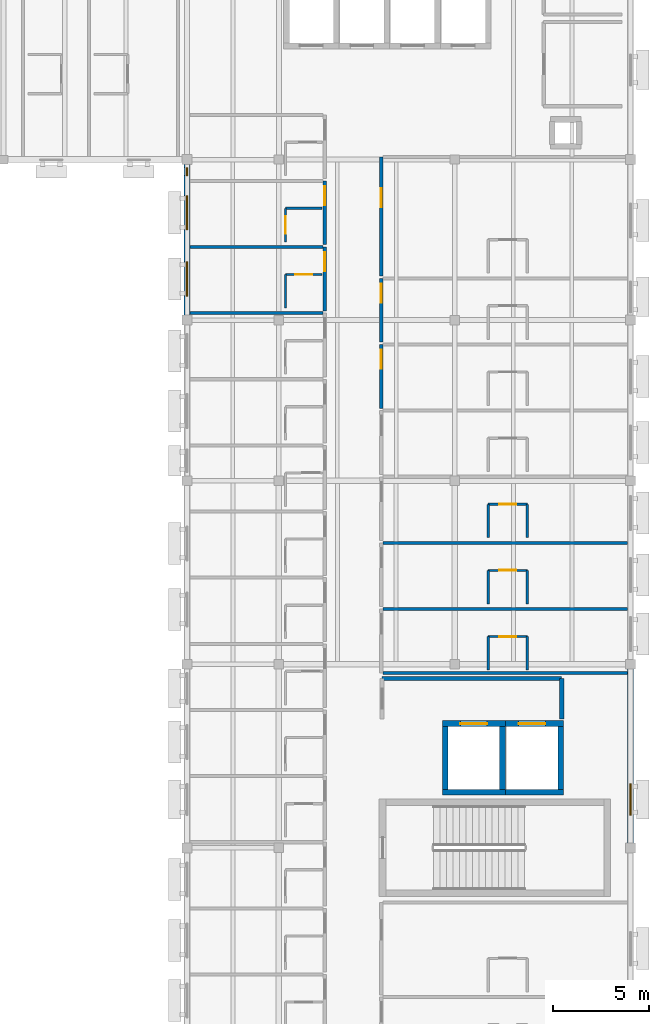
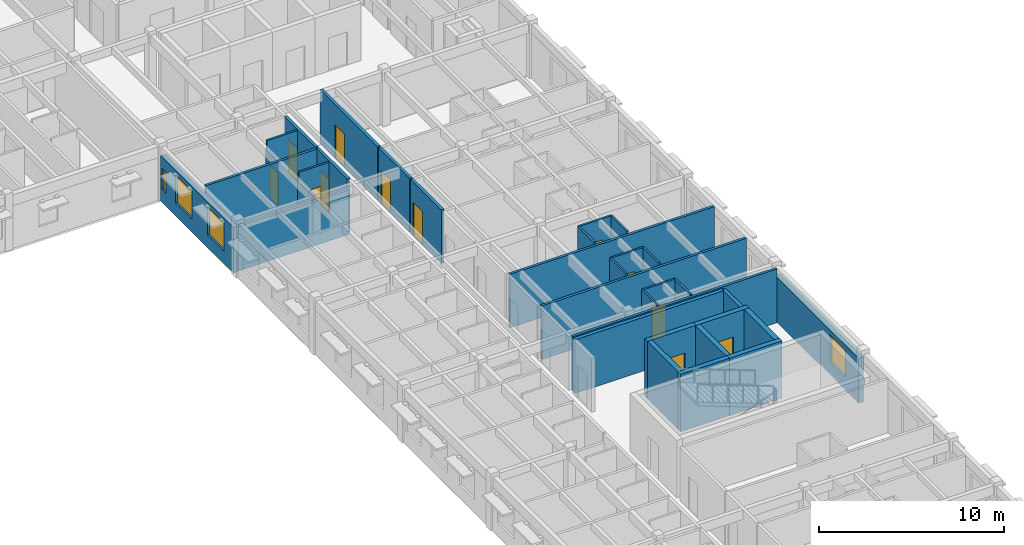
# One storey, part 11 of 20: 34 walls, 12 doors, 4 windows, 16 openings.
"""IFC4 building model written with IfcOpenShell, lengths in metres."""

import ifcopenshell
import ifcopenshell.guid

model = None  # the IFC model being written
_history = None  # IfcOwnerHistory: only IFC2X3 demands one
_inside = {}  # id of a spatial element -> (the spatial element, [elements in it])
_under = {}  # id of a project, library or spatial element -> (it, [spatial elements below it])
_declared = {}  # id of a project -> (the project, [libraries it declares])
_typed = {}  # id of a type object -> (the type object, [elements of that type])
_made_of = {}  # id of a material, layer set ... -> (it, [elements and type objects made of it])


def new_model(schema):
    """Start an empty IFC model of exactly this schema.

    Asked for "IFC4X3", IfcOpenShell would pick the latest addendum, in which some entities
    have other attributes; the version numbers below select the first issue.
    IFC2X3 requires an IfcOwnerHistory on every rooted entity: one is made here for all.
    """
    global model, _history
    if schema == "IFC4X3":
        model = ifcopenshell.file(schema_version=(4, 3, 0, 0))
    else:
        model = ifcopenshell.file(schema=schema)
    _inside.clear()
    _under.clear()
    _declared.clear()
    _typed.clear()
    _made_of.clear()
    _history = None
    if model.schema == "IFC2X3":
        org = make("IfcOrganization", Name="unknown")
        user = make(
            "IfcPersonAndOrganization",
            ThePerson=make("IfcPerson", FamilyName="unknown"),
            TheOrganization=org,
        )
        app = make(
            "IfcApplication",
            ApplicationDeveloper=org,
            Version="unknown",
            ApplicationFullName="unknown",
            ApplicationIdentifier="unknown",
        )
        _history = make(
            "IfcOwnerHistory",
            OwningUser=user,
            OwningApplication=app,
            ChangeAction="ADDED",
            CreationDate=0,
        )
    return model


def make(cls, **values):
    """One entity of the class cls with the attributes given. An attribute that is None is left unset."""
    return model.create_entity(
        cls, **{name: value for name, value in values.items() if value is not None}
    )


def rooted(cls, **values):
    """An entity with a GlobalId (a new one), such as an element, a storey or a relation."""
    return make(cls, GlobalId=ifcopenshell.guid.new(), OwnerHistory=_history, **values)


def si_unit(unit_type, name, prefix=None):
    """IfcSIUnit, for example si_unit("LENGTHUNIT", "METRE", prefix="MILLI")."""
    return make("IfcSIUnit", UnitType=unit_type, Prefix=prefix, Name=name)


def assignment(units):
    """IfcUnitAssignment: the units of a project."""
    return None if units is None else make("IfcUnitAssignment", Units=units)


def point(xyz):
    """IfcCartesianPoint."""
    return None if xyz is None else make("IfcCartesianPoint", Coordinates=xyz)


def direction(xyz):
    """IfcDirection."""
    return None if xyz is None else make("IfcDirection", DirectionRatios=xyz)


def frame(location, z_axis=None, x_axis=None):
    """IfcAxis2Placement3D, a coordinate frame: its origin and axes. An axis left out is left unset."""
    return make(
        "IfcAxis2Placement3D",
        Location=point(location),
        Axis=direction(z_axis),
        RefDirection=direction(x_axis),
    )


def frame_2d(location, x_axis=None):
    """IfcAxis2Placement2D, a coordinate frame in the plane: its origin and x axis."""
    return make(
        "IfcAxis2Placement2D", Location=point(location), RefDirection=direction(x_axis)
    )


def origin():
    """The frame at (0, 0, 0) with its axes left unset."""
    return frame((0.0, 0.0, 0.0))


def place(relative_to, where):
    """IfcLocalPlacement: puts the frame where relative to a parent placement (None: the world)."""
    return make(
        "IfcLocalPlacement", PlacementRelTo=relative_to, RelativePlacement=where
    )


def context(
    kind, dimensions, precision=None, world=None, true_north=None, identifier=None
):
    """IfcGeometricRepresentationContext, for example the 3D "Model" context."""
    return make(
        "IfcGeometricRepresentationContext",
        ContextIdentifier=identifier,
        ContextType=kind,
        CoordinateSpaceDimension=dimensions,
        Precision=precision,
        WorldCoordinateSystem=world,
        TrueNorth=true_north,
    )


def subcontext(parent, identifier, kind, view, scale=None):
    """IfcGeometricRepresentationSubContext, for example "Body" below "Model"."""
    return make(
        "IfcGeometricRepresentationSubContext",
        ContextIdentifier=identifier,
        ContextType=kind,
        ParentContext=parent,
        TargetScale=scale,
        TargetView=view,
    )


def project(units=None, contexts=None):
    """IfcProject with its units and contexts."""
    return rooted(
        "IfcProject",
        Name="project",
        RepresentationContexts=contexts,
        UnitsInContext=assignment(units),
    )


def spatial(cls, under=None, at=None, **own):
    """A site, building, storey or space (cls), placed at a placement, below another one or the project."""
    s = rooted(cls, ObjectPlacement=at, **own)
    if under is not None:
        _under.setdefault(under.id(), (under, []))[1].append(s)
    return s


def profile(cls, at=None, kind="AREA", **sizes):
    """A parametric profile (cls). Its sizes go by their IFC names, for example OverallWidth=200.0."""
    return make(cls, ProfileType=kind, Position=at, **sizes)


def rectangle(**sizes):
    """IfcRectangleProfileDef."""
    return profile("IfcRectangleProfileDef", **sizes)


def extrude(swept, where, along, depth):
    """IfcExtrudedAreaSolid: the profile swept, set in the frame where, extruded along a direction by depth."""
    return make(
        "IfcExtrudedAreaSolid",
        SweptArea=swept,
        Position=where,
        ExtrudedDirection=direction(along),
        Depth=depth,
    )


def shape(context_of_items, identifier, shape_type, items):
    """IfcShapeRepresentation: the items that make up one representation, for example the "Body"."""
    return make(
        "IfcShapeRepresentation",
        ContextOfItems=context_of_items,
        RepresentationIdentifier=identifier,
        RepresentationType=shape_type,
        Items=items,
    )


def material(Name=None, Category=None):
    """IfcMaterial."""
    return make("IfcMaterial", Name=Name, Category=Category)


def layer(
    of_material, thickness, ventilated=None, Name=None, Category=None, Priority=None
):
    """IfcMaterialLayer: one layer of a wall or slab, of a material (None: an air gap)."""
    return make(
        "IfcMaterialLayer",
        Material=of_material,
        LayerThickness=thickness,
        IsVentilated=ventilated,
        Name=Name,
        Category=Category,
        Priority=Priority,
    )


def layer_set(layers, Name=None):
    """IfcMaterialLayerSet."""
    return make("IfcMaterialLayerSet", MaterialLayers=layers, LayerSetName=Name)


def made_of(thing, what):
    """Note that an element or type object is made of a material, layer set ...; save() writes the relation."""
    if what is not None:
        _made_of.setdefault(what.id(), (what, []))[1].append(thing)
    return thing


def type_object(cls, material=None, **own):
    """A type object (cls), such as IfcWallType, which elements share."""
    return made_of(rooted(cls, **own), material)


def element(
    cls,
    number,
    at=None,
    inside=None,
    cuts=None,
    type_object=None,
    material=None,
    context=None,
    identifier="Body",
    shape_type=None,
    held_by="IfcProductDefinitionShape",
    body=None,
    shapes=None,
    **own,
):
    """One element of the class cls, such as IfcWall. Its Tag is "e" and its number.

    at: its placement. inside: the storey or other place that contains it. cuts: it is an
    opening in that element (IfcRelVoidsElement). A single representation is given by context,
    identifier, shape_type and body (its items); several are given by shapes. held_by: the class
    of the entity that holds the representations. save() writes the other relations.
    """
    e = rooted(cls, Tag="e%d" % number, ObjectPlacement=at, **own)
    if body is not None:
        shapes = [shape(context, identifier, shape_type, body)]
    if shapes is not None:
        e.Representation = make(held_by, Representations=shapes)
    if inside is not None:
        _inside.setdefault(inside.id(), (inside, []))[1].append(e)
    if cuts is not None:
        rooted(
            "IfcRelVoidsElement", RelatingBuildingElement=cuts, RelatedOpeningElement=e
        )
    if type_object is not None:
        _typed.setdefault(type_object.id(), (type_object, []))[1].append(e)
    return made_of(e, material)


def fill(opening, filler):
    """IfcRelFillsElement: the door or window that sits in an opening."""
    return rooted(
        "IfcRelFillsElement",
        RelatingOpeningElement=opening,
        RelatedBuildingElement=filler,
    )


def aggregate(whole, parts):
    """IfcRelAggregates: a whole, such as a stair, and the parts it consists of."""
    return rooted("IfcRelAggregates", RelatingObject=whole, RelatedObjects=parts)


def save(model, path):
    """Write the relations noted so far, then the file.

    IfcRelAggregates (storeys below a building ...), IfcRelContainedInSpatialStructure (elements
    in a storey), IfcRelDefinesByType, IfcRelAssociatesMaterial and IfcRelDeclares: one each for
    every whole, place, type object, material and project.
    """
    for whole, parts in _under.values():
        aggregate(whole, parts)
    for where, things in _inside.values():
        rooted(
            "IfcRelContainedInSpatialStructure",
            RelatedElements=things,
            RelatingStructure=where,
        )
    for kind, things in _typed.values():
        rooted("IfcRelDefinesByType", RelatedObjects=things, RelatingType=kind)
    for what, things in _made_of.values():
        rooted("IfcRelAssociatesMaterial", RelatedObjects=things, RelatingMaterial=what)
    for by, libraries in _declared.values():
        rooted("IfcRelDeclares", RelatingContext=by, RelatedDefinitions=libraries)
    model.write(path)


model = new_model("IFC4")

# Units and contexts
model_context = context("Model", 3, precision=1e-05, world=origin(), true_north=direction((0.0, 1.0)))
body_context = subcontext(model_context, "Body", "Model", "MODEL_VIEW")
ifc_project = project(units=[si_unit("LENGTHUNIT", "METRE"), si_unit("AREAUNIT", "SQUARE_METRE"), si_unit("VOLUMEUNIT", "CUBIC_METRE"), si_unit("PLANEANGLEUNIT", "RADIAN"), si_unit("MASSUNIT", "GRAM", prefix="KILO")], contexts=[model_context])

# Site, building, storey
site_placement = place(None, origin())
site = spatial("IfcSite", under=ifc_project, at=site_placement, CompositionType="ELEMENT")
building_placement = place(site_placement, origin())
building = spatial("IfcBuilding", under=site, at=building_placement, Name="Veldera Park Congress Hotel", CompositionType="ELEMENT")
storey_placement = place(building_placement, frame((0.0, 0.0, 27.60009765625)))
storey = spatial("IfcBuildingStorey", under=building, at=storey_placement, Name="L06", CompositionType="ELEMENT", Elevation=27.60009765625)

# Wall, opening, window
ifc_material_1 = material(Name="Cross-laminated timber CLT V2M1.1", Category="wood")
ifc_layer_1 = layer(ifc_material_1, 0.300048828125)
ifc_layer_set_1 = layer_set([ifc_layer_1], Name="Cross-laminated timber CLT V2M1.1")
wall_type_1 = type_object("IfcWallType", Name="EW-CLT300", PredefinedType="STANDARD", material=ifc_layer_set_1)
wall_1_placement = place(storey_placement, frame((84.0, -8.741943359375, 0.0), z_axis=(0.0, 0.0, 1.0), x_axis=(0.0, 1.0, 0.0)))
wall_1 = element("IfcWall", 1, at=wall_1_placement, inside=storey, type_object=wall_type_1, Name="L06 Exterior Wall EW3-L06-0315", PredefinedType="STANDARD", context=body_context, shape_type="SweptSolid", body=[
    extrude(rectangle(XDim=9.083984375, YDim=0.300048828125, at=frame_2d((4.5419921875, 0.0))), origin(), (0.0, 0.0, 1.0), 2.969970703125),
])
opening_1_placement = place(wall_1_placement, frame((1.446044921875, 0.0, 0.85009765625)))
opening_1 = element("IfcOpeningElement", 2, at=opening_1_placement, cuts=wall_1, Name="Opening WIN-1650", PredefinedType="OPENING", context=body_context, shape_type="SweptSolid", body=[
    extrude(rectangle(XDim=1.64990234375, YDim=1.800048828125, at=frame_2d((0.824951171875, 0.89990234375))), frame((0.0, 0.162109375, 0.0), z_axis=(0.0, -1.0, 0.0), x_axis=(1.0, 0.0, 0.0)), (0.0, 0.0, 1.0), 0.323974609375),
])
ifc_material_2 = material(Name="Low-E Triple Insulating Glass Unit (SHGC 0.22)", Category="glass")
window_type_1 = type_object("IfcWindowType", Name="WIN-1650", PartitioningType="SINGLE_PANEL", PredefinedType="WINDOW", material=ifc_material_2)
window_1_placement = place(opening_1_placement, origin())
window_1 = element("IfcWindow", 3, at=window_1_placement, inside=storey, type_object=window_type_1, Name="L06 Window WIN-1650 239", OverallHeight=1.800048828125, OverallWidth=1.64990234375, PartitioningType="SINGLE_PANEL", PredefinedType="WINDOW", context=body_context, shape_type="SweptSolid", body=[
    extrude(rectangle(XDim=1.64990234375, YDim=1.800048828125, at=frame_2d((0.824951171875, 0.89990234375))), frame((0.0, 0.030029296875, 0.0), z_axis=(0.0, -1.0, 0.0), x_axis=(1.0, 0.0, 0.0)), (0.0, 0.0, 1.0), 0.06005859375),
])
fill(opening_1, window_1)

# Wall, openings, windows
wall_2_placement = place(storey_placement, frame((60.800048828125, 26.741943359375, 0.0), z_axis=(0.0, 0.0, 1.0), x_axis=(0.0, -1.0, 0.0)))
wall_2 = element("IfcWall", 4, at=wall_2_placement, inside=storey, type_object=wall_type_1, Name="L06 Exterior Wall EW3-L06-0332", PredefinedType="STANDARD", context=body_context, shape_type="SweptSolid", body=[
    extrude(rectangle(XDim=7.884033203125, YDim=0.300048828125, at=frame_2d((3.94189453125, 0.0))), origin(), (0.0, 0.0, 1.0), 3.010009765625),
])
opening_2_placement = place(wall_2_placement, frame((5.08203125, 0.0, 0.85009765625)))
opening_2 = element("IfcOpeningElement", 5, at=opening_2_placement, cuts=wall_2, Name="Opening WIN-1800", PredefinedType="OPENING", context=body_context, shape_type="SweptSolid", body=[
    extrude(rectangle(XDim=1.800048828125, YDim=1.85009765625, at=frame_2d((0.89990234375, 0.925048828125))), frame((0.0, 0.162109375, 0.0), z_axis=(0.0, -1.0, 0.0), x_axis=(1.0, 0.0, 0.0)), (0.0, 0.0, 1.0), 0.323974609375),
])
opening_3_placement = place(wall_2_placement, frame((1.6220703125, 0.0, 0.85009765625)))
opening_3 = element("IfcOpeningElement", 6, at=opening_3_placement, cuts=wall_2, Name="Opening WIN-1800", PredefinedType="OPENING", context=body_context, shape_type="SweptSolid", body=[
    extrude(rectangle(XDim=1.800048828125, YDim=1.85009765625, at=frame_2d((0.89990234375, 0.925048828125))), frame((0.0, 0.162109375, 0.0), z_axis=(0.0, -1.0, 0.0), x_axis=(1.0, 0.0, 0.0)), (0.0, 0.0, 1.0), 0.323974609375),
])
opening_4_placement = place(wall_2_placement, frame((0.156005859375, 0.0, 0.85009765625)))
opening_4 = element("IfcOpeningElement", 7, at=opening_4_placement, cuts=wall_2, Name="Opening WIN-0420", PredefinedType="OPENING", context=body_context, shape_type="SweptSolid", body=[
    extrude(rectangle(XDim=0.419921875, YDim=1.39990234375, at=frame_2d((0.2099609375, 0.699951171875))), frame((0.0, 0.162109375, 0.0), z_axis=(0.0, -1.0, 0.0), x_axis=(1.0, 0.0, 0.0)), (0.0, 0.0, 1.0), 0.323974609375),
])
window_type_2 = type_object("IfcWindowType", Name="WIN-0420", PartitioningType="SINGLE_PANEL", PredefinedType="WINDOW", material=ifc_material_2)
window_2_placement = place(opening_4_placement, origin())
window_2 = element("IfcWindow", 8, at=window_2_placement, inside=storey, type_object=window_type_2, Name="L06 Window WIN-0420 524", OverallHeight=1.39990234375, OverallWidth=0.419921875, PartitioningType="SINGLE_PANEL", PredefinedType="WINDOW", context=body_context, shape_type="SweptSolid", body=[
    extrude(rectangle(XDim=0.419921875, YDim=1.39990234375, at=frame_2d((0.2099609375, 0.699951171875))), frame((0.0, 0.030029296875, 0.0), z_axis=(0.0, -1.0, 0.0), x_axis=(1.0, 0.0, 0.0)), (0.0, 0.0, 1.0), 0.06005859375),
])
fill(opening_4, window_2)
window_type_3 = type_object("IfcWindowType", Name="WIN-1800", PartitioningType="SINGLE_PANEL", PredefinedType="WINDOW", material=ifc_material_2)
window_3_placement = place(opening_2_placement, origin())
window_3 = element("IfcWindow", 9, at=window_3_placement, inside=storey, type_object=window_type_3, Name="L06 Window WIN-1800 522", OverallHeight=1.85009765625, OverallWidth=1.800048828125, PartitioningType="SINGLE_PANEL", PredefinedType="WINDOW", context=body_context, shape_type="SweptSolid", body=[
    extrude(rectangle(XDim=1.800048828125, YDim=1.85009765625, at=frame_2d((0.89990234375, 0.925048828125))), frame((0.0, 0.030029296875, 0.0), z_axis=(0.0, -1.0, 0.0), x_axis=(1.0, 0.0, 0.0)), (0.0, 0.0, 1.0), 0.06005859375),
])
fill(opening_2, window_3)
window_4_placement = place(opening_3_placement, origin())
window_4 = element("IfcWindow", 10, at=window_4_placement, inside=storey, type_object=window_type_3, Name="L06 Window WIN-1800 523", OverallHeight=1.85009765625, OverallWidth=1.800048828125, PartitioningType="SINGLE_PANEL", PredefinedType="WINDOW", context=body_context, shape_type="SweptSolid", body=[
    extrude(rectangle(XDim=1.800048828125, YDim=1.85009765625, at=frame_2d((0.89990234375, 0.925048828125))), frame((0.0, 0.030029296875, 0.0), z_axis=(0.0, -1.0, 0.0), x_axis=(1.0, 0.0, 0.0)), (0.0, 0.0, 1.0), 0.06005859375),
])
fill(opening_3, window_4)

# Wall
ifc_material_3 = material(Name="Fire-Rated Gypsum Board on Cold-Formed Steel Studs", Category="steel")
ifc_layer_2 = layer(ifc_material_3, 0.1201171875)
ifc_layer_set_2 = layer_set([ifc_layer_2], Name="Fire-Rated Gypsum Board on Cold-Formed Steel Studs")
wall_type_2 = type_object("IfcWallType", Name="IW-BATH120", PredefinedType="PARTITIONING", material=ifc_layer_set_2)
wall_3_placement = place(storey_placement, frame((65.949951171875, 19.239990234375, 0.0), z_axis=(0.0, 0.0, 1.0), x_axis=(0.0, 1.0, 0.0)))
element("IfcWall", 11, at=wall_3_placement, inside=storey, type_object=wall_type_2, Name="L06 Partition Wall IW3-L06-01250", PredefinedType="PARTITIONING", context=body_context, shape_type="SweptSolid", body=[
    extrude(rectangle(XDim=1.75, YDim=0.1201171875, at=frame_2d((0.875, 0.0))), origin(), (0.0, 0.0, 1.0), 3.010009765625),
])

# Wall, opening, door
wall_4_placement = place(storey_placement, frame((65.949951171875, 20.989990234375, 0.0), z_axis=(0.0, 0.0, 1.0), x_axis=(1.0, 0.0, 0.0)))
wall_4 = element("IfcWall", 12, at=wall_4_placement, inside=storey, type_object=wall_type_2, Name="L06 Partition Wall IW3-L06-01251", PredefinedType="PARTITIONING", context=body_context, shape_type="SweptSolid", body=[
    extrude(rectangle(XDim=1.900146484375, YDim=0.1201171875, at=frame_2d((0.9501953125, 0.0))), origin(), (0.0, 0.0, 1.0), 3.554931640625),
])
opening_5_placement = place(wall_4_placement, frame((0.5, 0.0, 0.0)))
opening_5 = element("IfcOpeningElement", 13, at=opening_5_placement, cuts=wall_4, Name="Opening ID-BATH090", PredefinedType="OPENING", context=body_context, shape_type="SweptSolid", body=[
    extrude(rectangle(XDim=0.89990234375, YDim=2.14990234375, at=frame_2d((0.449951171875, 1.074951171875))), frame((0.0, 0.072021484375, 0.0), z_axis=(0.0, -1.0, 0.0), x_axis=(1.0, 0.0, 0.0)), (0.0, 0.0, 1.0), 0.14404296875),
])
ifc_material_4 = material(Name="Solid Core White Oak Architectural Door", Category="wood")
door_type_1 = type_object("IfcDoorType", Name="ID-BATH090", OperationType="NOTDEFINED", PredefinedType="DOOR", material=ifc_material_4)
door_1_placement = place(opening_5_placement, origin())
door_1 = element("IfcDoor", 14, at=door_1_placement, inside=storey, type_object=door_type_1, Name="L06 En-suite 192 Door ID3-L06-0523 (DR3-ID3-L06-0523)", OperationType="SINGLE_SWING_LEFT", OverallHeight=2.14990234375, OverallWidth=0.89990234375, PredefinedType="DOOR", context=body_context, shape_type="SweptSolid", body=[
    extrude(rectangle(XDim=0.89990234375, YDim=2.14990234375, at=frame_2d((0.449951171875, 1.074951171875))), frame((0.0, 0.02490234375, 0.0), z_axis=(0.0, -1.0, 0.0), x_axis=(1.0, 0.0, 0.0)), (0.0, 0.0, 1.0), 0.050048828125),
])
fill(opening_5, door_1)

wall_5_placement = place(storey_placement, frame((65.949951171875, 22.699951171875, 0.0), z_axis=(0.0, 0.0, 1.0), x_axis=(0.0, 1.0, 0.0)))
wall_5 = element("IfcWall", 15, at=wall_5_placement, inside=storey, type_object=wall_type_2, Name="L06 Partition Wall IW3-L06-01254", PredefinedType="PARTITIONING", context=body_context, shape_type="SweptSolid", body=[
    extrude(rectangle(XDim=1.75, YDim=0.1201171875, at=frame_2d((0.875, 0.0))), origin(), (0.0, 0.0, 1.0), 3.010009765625),
])
opening_6_placement = place(wall_5_placement, frame((0.425048828125, 0.0, 0.0)))
opening_6 = element("IfcOpeningElement", 16, at=opening_6_placement, cuts=wall_5, Name="Opening ID-BATH090", PredefinedType="OPENING", context=body_context, shape_type="SweptSolid", body=[
    extrude(rectangle(XDim=0.89990234375, YDim=2.14990234375, at=frame_2d((0.449951171875, 1.074951171875))), frame((0.0, 0.072021484375, 0.0), z_axis=(0.0, -1.0, 0.0), x_axis=(1.0, 0.0, 0.0)), (0.0, 0.0, 1.0), 0.14404296875),
])
door_2_placement = place(opening_6_placement, origin())
door_2 = element("IfcDoor", 17, at=door_2_placement, inside=storey, type_object=door_type_1, Name="L06 En-suite 193 Door ID3-L06-0525 (DR3-ID3-L06-0525)", OperationType="SINGLE_SWING_LEFT", OverallHeight=2.14990234375, OverallWidth=0.89990234375, PredefinedType="DOOR", context=body_context, shape_type="SweptSolid", body=[
    extrude(rectangle(XDim=0.89990234375, YDim=2.14990234375, at=frame_2d((0.449951171875, 1.074951171875))), frame((0.0, 0.02490234375, 0.0), z_axis=(0.0, -1.0, 0.0), x_axis=(1.0, 0.0, 0.0)), (0.0, 0.0, 1.0), 0.050048828125),
])
fill(opening_6, door_2)

# Walls
wall_6_placement = place(storey_placement, frame((65.949951171875, 24.449951171875, 0.0), z_axis=(0.0, 0.0, 1.0), x_axis=(1.0, 0.0, 0.0)))
element("IfcWall", 18, at=wall_6_placement, inside=storey, type_object=wall_type_2, Name="L06 Partition Wall IW3-L06-01255", PredefinedType="PARTITIONING", context=body_context, shape_type="SweptSolid", body=[
    extrude(rectangle(XDim=1.900146484375, YDim=0.1201171875, at=frame_2d((0.9501953125, 0.0))), origin(), (0.0, 0.0, 1.0), 3.554931640625),
])
for number, where, z_axis, x_axis, name in (
    (19, (76.550048828125, 0.300048828125, 0.0), (0.0, 0.0, 1.0), (0.0, 1.0, 0.0), "L06 Partition Wall IW3-L06-01299"),
    (20, (78.60009765625, 0.300048828125, 0.0), (0.0, 0.0, 1.0), (0.0, 1.0, 0.0), "L06 Partition Wall IW3-L06-01300"),
):
    element("IfcWall", number, at=place(storey_placement, frame(where, z_axis=z_axis, x_axis=x_axis)), inside=storey, type_object=wall_type_2, Name=name, PredefinedType="PARTITIONING", context=body_context, shape_type="SweptSolid", body=[
        extrude(rectangle(XDim=1.75, YDim=0.1201171875, at=frame_2d((0.875, 0.0))), origin(), (0.0, 0.0, 1.0), 3.554931640625),
    ])

# Wall, opening, door
wall_7_placement = place(storey_placement, frame((76.550048828125, 2.050048828125, 0.0), z_axis=(0.0, 0.0, 1.0), x_axis=(1.0, 0.0, 0.0)))
wall_7 = element("IfcWall", 21, at=wall_7_placement, inside=storey, type_object=wall_type_2, Name="L06 Partition Wall IW3-L06-01301", PredefinedType="PARTITIONING", context=body_context, shape_type="SweptSolid", body=[
    extrude(rectangle(XDim=2.050048828125, YDim=0.1201171875, at=frame_2d((1.02490234375, 0.0))), origin(), (0.0, 0.0, 1.0), 3.554931640625),
])
opening_7_placement = place(wall_7_placement, frame((0.574951171875, 0.0, 0.0)))
opening_7 = element("IfcOpeningElement", 22, at=opening_7_placement, cuts=wall_7, Name="Opening ID-BATH090", PredefinedType="OPENING", context=body_context, shape_type="SweptSolid", body=[
    extrude(rectangle(XDim=0.89990234375, YDim=2.14990234375, at=frame_2d((0.449951171875, 1.074951171875))), frame((0.0, 0.072021484375, 0.0), z_axis=(0.0, -1.0, 0.0), x_axis=(1.0, 0.0, 0.0)), (0.0, 0.0, 1.0), 0.14404296875),
])
door_3_placement = place(opening_7_placement, origin())
door_3 = element("IfcDoor", 23, at=door_3_placement, inside=storey, type_object=door_type_1, Name="L06 En-suite 202 Door ID3-L06-0543 (DR3-ID3-L06-0543)", OperationType="SINGLE_SWING_LEFT", OverallHeight=2.14990234375, OverallWidth=0.89990234375, PredefinedType="DOOR", context=body_context, shape_type="SweptSolid", body=[
    extrude(rectangle(XDim=0.89990234375, YDim=2.14990234375, at=frame_2d((0.449951171875, 1.074951171875))), frame((0.0, 0.02490234375, 0.0), z_axis=(0.0, -1.0, 0.0), x_axis=(1.0, 0.0, 0.0)), (0.0, 0.0, 1.0), 0.050048828125),
])
fill(opening_7, door_3)

# Walls
for number, where, z_axis, x_axis, name in (
    (24, (76.550048828125, 3.760009765625, 0.0), (0.0, 0.0, 1.0), (0.0, 1.0, 0.0), "L06 Partition Wall IW3-L06-01304"),
    (25, (78.60009765625, 3.760009765625, 0.0), (0.0, 0.0, 1.0), (0.0, 1.0, 0.0), "L06 Partition Wall IW3-L06-01305"),
):
    element("IfcWall", number, at=place(storey_placement, frame(where, z_axis=z_axis, x_axis=x_axis)), inside=storey, type_object=wall_type_2, Name=name, PredefinedType="PARTITIONING", context=body_context, shape_type="SweptSolid", body=[
        extrude(rectangle(XDim=1.75, YDim=0.1201171875, at=frame_2d((0.875, 0.0))), origin(), (0.0, 0.0, 1.0), 3.554931640625),
    ])

# Wall, opening, door
wall_8_placement = place(storey_placement, frame((76.550048828125, 5.510009765625, 0.0), z_axis=(0.0, 0.0, 1.0), x_axis=(1.0, 0.0, 0.0)))
wall_8 = element("IfcWall", 26, at=wall_8_placement, inside=storey, type_object=wall_type_2, Name="L06 Partition Wall IW3-L06-01306", PredefinedType="PARTITIONING", context=body_context, shape_type="SweptSolid", body=[
    extrude(rectangle(XDim=2.050048828125, YDim=0.1201171875, at=frame_2d((1.02490234375, 0.0))), origin(), (0.0, 0.0, 1.0), 3.554931640625),
])
opening_8_placement = place(wall_8_placement, frame((0.574951171875, 0.0, 0.0)))
opening_8 = element("IfcOpeningElement", 27, at=opening_8_placement, cuts=wall_8, Name="Opening ID-BATH090", PredefinedType="OPENING", context=body_context, shape_type="SweptSolid", body=[
    extrude(rectangle(XDim=0.89990234375, YDim=2.14990234375, at=frame_2d((0.449951171875, 1.074951171875))), frame((0.0, 0.072021484375, 0.0), z_axis=(0.0, -1.0, 0.0), x_axis=(1.0, 0.0, 0.0)), (0.0, 0.0, 1.0), 0.14404296875),
])
door_4_placement = place(opening_8_placement, origin())
door_4 = element("IfcDoor", 28, at=door_4_placement, inside=storey, type_object=door_type_1, Name="L06 En-suite 203 Door ID3-L06-0545 (DR3-ID3-L06-0545)", OperationType="SINGLE_SWING_LEFT", OverallHeight=2.14990234375, OverallWidth=0.89990234375, PredefinedType="DOOR", context=body_context, shape_type="SweptSolid", body=[
    extrude(rectangle(XDim=0.89990234375, YDim=2.14990234375, at=frame_2d((0.449951171875, 1.074951171875))), frame((0.0, 0.02490234375, 0.0), z_axis=(0.0, -1.0, 0.0), x_axis=(1.0, 0.0, 0.0)), (0.0, 0.0, 1.0), 0.050048828125),
])
fill(opening_8, door_4)

# Walls
for number, where, z_axis, x_axis, name in (
    (29, (76.550048828125, 7.219970703125, 0.0), (0.0, 0.0, 1.0), (0.0, 1.0, 0.0), "L06 Partition Wall IW3-L06-01309"),
    (30, (78.60009765625, 7.219970703125, 0.0), (0.0, 0.0, 1.0), (0.0, 1.0, 0.0), "L06 Partition Wall IW3-L06-01310"),
):
    element("IfcWall", number, at=place(storey_placement, frame(where, z_axis=z_axis, x_axis=x_axis)), inside=storey, type_object=wall_type_2, Name=name, PredefinedType="PARTITIONING", context=body_context, shape_type="SweptSolid", body=[
        extrude(rectangle(XDim=1.75, YDim=0.1201171875, at=frame_2d((0.875, 0.0))), origin(), (0.0, 0.0, 1.0), 3.554931640625),
    ])

# Wall, opening, door
wall_9_placement = place(storey_placement, frame((76.550048828125, 8.969970703125, 0.0), z_axis=(0.0, 0.0, 1.0), x_axis=(1.0, 0.0, 0.0)))
wall_9 = element("IfcWall", 31, at=wall_9_placement, inside=storey, type_object=wall_type_2, Name="L06 Partition Wall IW3-L06-01311", PredefinedType="PARTITIONING", context=body_context, shape_type="SweptSolid", body=[
    extrude(rectangle(XDim=2.050048828125, YDim=0.1201171875, at=frame_2d((1.02490234375, 0.0))), origin(), (0.0, 0.0, 1.0), 3.554931640625),
])
opening_9_placement = place(wall_9_placement, frame((0.574951171875, 0.0, 0.0)))
opening_9 = element("IfcOpeningElement", 32, at=opening_9_placement, cuts=wall_9, Name="Opening ID-BATH090", PredefinedType="OPENING", context=body_context, shape_type="SweptSolid", body=[
    extrude(rectangle(XDim=0.89990234375, YDim=2.14990234375, at=frame_2d((0.449951171875, 1.074951171875))), frame((0.0, 0.072021484375, 0.0), z_axis=(0.0, -1.0, 0.0), x_axis=(1.0, 0.0, 0.0)), (0.0, 0.0, 1.0), 0.14404296875),
])
door_5_placement = place(opening_9_placement, origin())
door_5 = element("IfcDoor", 33, at=door_5_placement, inside=storey, type_object=door_type_1, Name="L06 En-suite 204 Door ID3-L06-0547 (DR3-ID3-L06-0547)", OperationType="SINGLE_SWING_LEFT", OverallHeight=2.14990234375, OverallWidth=0.89990234375, PredefinedType="DOOR", context=body_context, shape_type="SweptSolid", body=[
    extrude(rectangle(XDim=0.89990234375, YDim=2.14990234375, at=frame_2d((0.449951171875, 1.074951171875))), frame((0.0, 0.02490234375, 0.0), z_axis=(0.0, -1.0, 0.0), x_axis=(1.0, 0.0, 0.0)), (0.0, 0.0, 1.0), 0.050048828125),
])
fill(opening_9, door_5)

ifc_layer_3 = layer(ifc_material_3, 0.179931640625)
ifc_layer_set_3 = layer_set([ifc_layer_3], Name="Fire-Rated Gypsum Board on Cold-Formed Steel Studs")
wall_type_3 = type_object("IfcWallType", Name="IW-CORR180", PredefinedType="PARTITIONING", material=ifc_layer_set_3)
wall_10_placement = place(storey_placement, frame((68.0, 19.090087890625, 0.0), z_axis=(0.0, 0.0, 1.0), x_axis=(0.0, 1.0, 0.0)))
wall_10 = element("IfcWall", 34, at=wall_10_placement, inside=storey, type_object=wall_type_3, Name="L06 Corridor Wall IW3-L06-01248", PredefinedType="PARTITIONING", context=body_context, shape_type="SweptSolid", body=[
    extrude(rectangle(XDim=3.33984375, YDim=0.179931640625, at=frame_2d((1.669921875, 0.0))), origin(), (0.0, 0.0, 1.0), 3.554931640625),
])
opening_10_placement = place(wall_10_placement, frame((2.06005859375, 0.0, 0.0)))
opening_10 = element("IfcOpeningElement", 35, at=opening_10_placement, cuts=wall_10, Name="Opening ID-UNIT100", PredefinedType="OPENING", context=body_context, shape_type="SweptSolid", body=[
    extrude(rectangle(XDim=1.0, YDim=2.199951171875, at=frame_2d((0.5, 1.10009765625))), frame((0.0, 0.10205078125, 0.0), z_axis=(0.0, -1.0, 0.0), x_axis=(1.0, 0.0, 0.0)), (0.0, 0.0, 1.0), 0.203857421875),
])
door_type_2 = type_object("IfcDoorType", Name="ID-UNIT100", OperationType="NOTDEFINED", PredefinedType="DOOR", material=ifc_material_4)
door_6_placement = place(opening_10_placement, origin())
door_6 = element("IfcDoor", 36, at=door_6_placement, inside=storey, type_object=door_type_2, Name="L06 Guestroom 192 Entry Door (DR3-UD3-L06-192)", OperationType="SINGLE_SWING_RIGHT", OverallHeight=2.199951171875, OverallWidth=1.0, PredefinedType="DOOR", context=body_context, shape_type="SweptSolid", body=[
    extrude(rectangle(XDim=1.0, YDim=2.199951171875, at=frame_2d((0.5, 1.10009765625))), frame((0.0, 0.02490234375, 0.0), z_axis=(0.0, -1.0, 0.0), x_axis=(1.0, 0.0, 0.0)), (0.0, 0.0, 1.0), 0.050048828125),
])
fill(opening_10, door_6)

wall_11_placement = place(storey_placement, frame((68.0, 22.550048828125, 0.0), z_axis=(0.0, 0.0, 1.0), x_axis=(0.0, 1.0, 0.0)))
wall_11 = element("IfcWall", 37, at=wall_11_placement, inside=storey, type_object=wall_type_3, Name="L06 Corridor Wall IW3-L06-01252", PredefinedType="PARTITIONING", context=body_context, shape_type="SweptSolid", body=[
    extrude(rectangle(XDim=3.33984375, YDim=0.179931640625, at=frame_2d((1.669921875, 0.0))), origin(), (0.0, 0.0, 1.0), 3.554931640625),
])
opening_11_placement = place(wall_11_placement, frame((2.06005859375, 0.0, 0.0)))
opening_11 = element("IfcOpeningElement", 38, at=opening_11_placement, cuts=wall_11, Name="Opening ID-UNIT100", PredefinedType="OPENING", context=body_context, shape_type="SweptSolid", body=[
    extrude(rectangle(XDim=1.0, YDim=2.199951171875, at=frame_2d((0.5, 1.10009765625))), frame((0.0, 0.10205078125, 0.0), z_axis=(0.0, -1.0, 0.0), x_axis=(1.0, 0.0, 0.0)), (0.0, 0.0, 1.0), 0.203857421875),
])
door_7_placement = place(opening_11_placement, origin())
door_7 = element("IfcDoor", 39, at=door_7_placement, inside=storey, type_object=door_type_2, Name="L06 Guestroom 193 Entry Door (DR3-UD3-L06-193)", OperationType="SINGLE_SWING_RIGHT", OverallHeight=2.199951171875, OverallWidth=1.0, PredefinedType="DOOR", context=body_context, shape_type="SweptSolid", body=[
    extrude(rectangle(XDim=1.0, YDim=2.199951171875, at=frame_2d((0.5, 1.10009765625))), frame((0.0, 0.02490234375, 0.0), z_axis=(0.0, -1.0, 0.0), x_axis=(1.0, 0.0, 0.0)), (0.0, 0.0, 1.0), 0.050048828125),
])
fill(opening_11, door_7)

wall_12_placement = place(storey_placement, frame((70.949951171875, 17.330078125, 0.0), z_axis=(0.0, 0.0, 1.0), x_axis=(0.0, -1.0, 0.0)))
wall_12 = element("IfcWall", 40, at=wall_12_placement, inside=storey, type_object=wall_type_3, Name="L06 Corridor Wall IW3-L06-01317", PredefinedType="PARTITIONING", context=body_context, shape_type="SweptSolid", body=[
    extrude(rectangle(XDim=3.340087890625, YDim=0.179931640625, at=frame_2d((1.669921875, 0.0))), origin(), (0.0, 0.0, 1.0), 3.554931640625),
])
opening_12_placement = place(wall_12_placement, frame((0.280029296875, 0.0, 0.0)))
opening_12 = element("IfcOpeningElement", 41, at=opening_12_placement, cuts=wall_12, Name="Opening ID-UNIT100", PredefinedType="OPENING", context=body_context, shape_type="SweptSolid", body=[
    extrude(rectangle(XDim=1.0, YDim=2.199951171875, at=frame_2d((0.5, 1.10009765625))), frame((0.0, 0.10205078125, 0.0), z_axis=(0.0, -1.0, 0.0), x_axis=(1.0, 0.0, 0.0)), (0.0, 0.0, 1.0), 0.203857421875),
])
door_8_placement = place(opening_12_placement, origin())
door_8 = element("IfcDoor", 42, at=door_8_placement, inside=storey, type_object=door_type_2, Name="L06 Guestroom 206 Entry Door (DR3-UD3-L06-206)", OperationType="SINGLE_SWING_RIGHT", OverallHeight=2.199951171875, OverallWidth=1.0, PredefinedType="DOOR", context=body_context, shape_type="SweptSolid", body=[
    extrude(rectangle(XDim=1.0, YDim=2.199951171875, at=frame_2d((0.5, 1.10009765625))), frame((0.0, 0.02490234375, 0.0), z_axis=(0.0, -1.0, 0.0), x_axis=(1.0, 0.0, 0.0)), (0.0, 0.0, 1.0), 0.050048828125),
])
fill(opening_12, door_8)

wall_13_placement = place(storey_placement, frame((70.949951171875, 20.7900390625, 0.0), z_axis=(0.0, 0.0, 1.0), x_axis=(0.0, -1.0, 0.0)))
wall_13 = element("IfcWall", 43, at=wall_13_placement, inside=storey, type_object=wall_type_3, Name="L06 Corridor Wall IW3-L06-01322", PredefinedType="PARTITIONING", context=body_context, shape_type="SweptSolid", body=[
    extrude(rectangle(XDim=3.340087890625, YDim=0.179931640625, at=frame_2d((1.669921875, 0.0))), origin(), (0.0, 0.0, 1.0), 3.554931640625),
])
opening_13_placement = place(wall_13_placement, frame((0.280029296875, 0.0, 0.0)))
opening_13 = element("IfcOpeningElement", 44, at=opening_13_placement, cuts=wall_13, Name="Opening ID-UNIT100", PredefinedType="OPENING", context=body_context, shape_type="SweptSolid", body=[
    extrude(rectangle(XDim=1.0, YDim=2.199951171875, at=frame_2d((0.5, 1.10009765625))), frame((0.0, 0.10205078125, 0.0), z_axis=(0.0, -1.0, 0.0), x_axis=(1.0, 0.0, 0.0)), (0.0, 0.0, 1.0), 0.203857421875),
])
door_9_placement = place(opening_13_placement, origin())
door_9 = element("IfcDoor", 45, at=door_9_placement, inside=storey, type_object=door_type_2, Name="L06 Guestroom 207 Entry Door (DR3-UD3-L06-207)", OperationType="SINGLE_SWING_RIGHT", OverallHeight=2.199951171875, OverallWidth=1.0, PredefinedType="DOOR", context=body_context, shape_type="SweptSolid", body=[
    extrude(rectangle(XDim=1.0, YDim=2.199951171875, at=frame_2d((0.5, 1.10009765625))), frame((0.0, 0.02490234375, 0.0), z_axis=(0.0, -1.0, 0.0), x_axis=(1.0, 0.0, 0.0)), (0.0, 0.0, 1.0), 0.050048828125),
])
fill(opening_13, door_9)

wall_14_placement = place(storey_placement, frame((70.949951171875, 27.1298828125, 0.0), z_axis=(0.0, 0.0, 1.0), x_axis=(0.0, -1.0, 0.0)))
wall_14 = element("IfcWall", 46, at=wall_14_placement, inside=storey, type_object=wall_type_3, Name="L06 Corridor Wall IW3-L06-01327", PredefinedType="PARTITIONING", context=body_context, shape_type="SweptSolid", body=[
    extrude(rectangle(XDim=6.219970703125, YDim=0.179931640625, at=frame_2d((3.10986328125, 0.0))), origin(), (0.0, 0.0, 1.0), 3.554931640625),
])
opening_14_placement = place(wall_14_placement, frame((1.6298828125, 0.0, 0.0)))
opening_14 = element("IfcOpeningElement", 47, at=opening_14_placement, cuts=wall_14, Name="Opening ID-UNIT100", PredefinedType="OPENING", context=body_context, shape_type="SweptSolid", body=[
    extrude(rectangle(XDim=1.0, YDim=2.199951171875, at=frame_2d((0.5, 1.10009765625))), frame((0.0, 0.10205078125, 0.0), z_axis=(0.0, -1.0, 0.0), x_axis=(1.0, 0.0, 0.0)), (0.0, 0.0, 1.0), 0.203857421875),
])
door_10_placement = place(opening_14_placement, origin())
door_10 = element("IfcDoor", 48, at=door_10_placement, inside=storey, type_object=door_type_2, Name="L06 Guestroom 208 Entry Door (DR3-UD3-L06-208)", OperationType="SINGLE_SWING_RIGHT", OverallHeight=2.199951171875, OverallWidth=1.0, PredefinedType="DOOR", context=body_context, shape_type="SweptSolid", body=[
    extrude(rectangle(XDim=1.0, YDim=2.199951171875, at=frame_2d((0.5, 1.10009765625))), frame((0.0, 0.02490234375, 0.0), z_axis=(0.0, -1.0, 0.0), x_axis=(1.0, 0.0, 0.0)), (0.0, 0.0, 1.0), 0.050048828125),
])
fill(opening_14, door_10)

# Walls
ifc_material_5 = material(Name="Concrete f'c 40 MPa (5,800 psi)", Category="concrete")
ifc_layer_4 = layer(ifc_material_5, 0.219970703125)
ifc_layer_set_4 = layer_set([ifc_layer_4], Name="Concrete f'c 40 MPa (5,800 psi)")
wall_type_4 = type_object("IfcWallType", Name="IW-FIRE220", PredefinedType="STANDARD", material=ifc_layer_set_4)
wall_15_placement = place(storey_placement, frame((80.39990234375, -2.25, 0.0), z_axis=(0.0, 0.0, 1.0), x_axis=(0.0, 1.0, 0.0)))
element("IfcWall", 49, at=wall_15_placement, inside=storey, type_object=wall_type_4, Name="L06 Partition Wall IW3-L06-00270", PredefinedType="STANDARD", context=body_context, shape_type="SweptSolid", body=[
    extrude(rectangle(XDim=2.10009765625, YDim=0.219970703125, at=frame_2d((1.050048828125, 0.0))), origin(), (0.0, 0.0, 1.0), 3.554931640625),
])
wall_16_placement = place(storey_placement, frame((80.39990234375, -0.14990234375, 0.0), z_axis=(0.0, 0.0, 1.0), x_axis=(-1.0, 0.0, 0.0)))
element("IfcWall", 50, at=wall_16_placement, inside=storey, type_object=wall_type_4, Name="L06 Partition Wall IW3-L06-00271", PredefinedType="STANDARD", context=body_context, shape_type="SweptSolid", body=[
    extrude(rectangle(XDim=9.39990234375, YDim=0.219970703125, at=frame_2d((4.699951171875, 0.0))), origin(), (0.0, 0.0, 1.0), 3.554931640625),
])
ifc_layer_5 = layer(ifc_material_1, 0.159912109375)
ifc_layer_set_5 = layer_set([ifc_layer_5], Name="Cross-laminated timber CLT V2M1.1")
wall_type_5 = type_object("IfcWallType", Name="IW-UNIT160", PredefinedType="PARTITIONING", material=ifc_layer_set_5)
wall_17_placement = place(storey_placement, frame((60.9599609375, 18.969970703125, 0.0), z_axis=(0.0, 0.0, 1.0), x_axis=(1.0, 0.0, 0.0)))
element("IfcWall", 51, at=wall_17_placement, inside=storey, type_object=wall_type_5, Name="L06 Partition Wall IW3-L06-01245", PredefinedType="PARTITIONING", context=body_context, shape_type="SweptSolid", body=[
    extrude(rectangle(XDim=6.93994140625, YDim=0.159912109375, at=frame_2d((3.469970703125, 0.0))), origin(), (0.0, 0.0, 1.0), 2.929931640625),
])
wall_18_placement = place(storey_placement, frame((60.9599609375, 22.429931640625, 0.0), z_axis=(0.0, 0.0, 1.0), x_axis=(1.0, 0.0, 0.0)))
element("IfcWall", 52, at=wall_18_placement, inside=storey, type_object=wall_type_5, Name="L06 Partition Wall IW3-L06-01249", PredefinedType="PARTITIONING", context=body_context, shape_type="SweptSolid", body=[
    extrude(rectangle(XDim=6.93994140625, YDim=0.159912109375, at=frame_2d((3.469970703125, 0.0))), origin(), (0.0, 0.0, 1.0), 3.554931640625),
])
for number, where, z_axis, x_axis, name in (
    (53, (71.050048828125, 0.14990234375, 0.0), (0.0, 0.0, 1.0), (1.0, 0.0, 0.0), "L06 Partition Wall IW3-L06-01297"),
    (54, (71.050048828125, 3.489990234375, 0.0), (0.0, 0.0, 1.0), (1.0, 0.0, 0.0), "L06 Partition Wall IW3-L06-01298"),
    (55, (71.050048828125, 6.949951171875, 0.0), (0.0, 0.0, 1.0), (1.0, 0.0, 0.0), "L06 Partition Wall IW3-L06-01303"),
):
    element("IfcWall", number, at=place(storey_placement, frame(where, z_axis=z_axis, x_axis=x_axis)), inside=storey, type_object=wall_type_5, Name=name, PredefinedType="PARTITIONING", context=body_context, shape_type="SweptSolid", body=[
        extrude(rectangle(XDim=12.7900390625, YDim=0.159912109375, at=frame_2d((6.39501953125, 0.0))), origin(), (0.0, 0.0, 1.0), 3.554931640625),
    ])
ifc_layer_6 = layer(ifc_material_5, 0.300048828125)
ifc_layer_set_6 = layer_set([ifc_layer_6], Name="Concrete f'c 40 MPa (5,800 psi)")
wall_type_6 = type_object("IfcWallType", Name="SW-SHFT300", PredefinedType="SHEAR", material=ifc_layer_set_6)
wall_19_placement = place(storey_placement, frame((74.14990234375, -6.10009765625, 0.0), z_axis=(0.0, 0.0, 1.0), x_axis=(1.0, 0.0, 0.0)))
element("IfcWall", 56, at=wall_19_placement, inside=storey, type_object=wall_type_6, Name="Lift SL-01 Shaft Wall L06-S", PredefinedType="SHEAR", context=body_context, shape_type="SweptSolid", body=[
    extrude(rectangle(XDim=3.300048828125, YDim=0.300048828125, at=frame_2d((1.64990234375, 0.0))), origin(), (0.0, 0.0, 1.0), 3.7998046875),
])

# Wall, opening, door
wall_20_placement = place(storey_placement, frame((77.449951171875, -2.5, 0.0), z_axis=(0.0, 0.0, 1.0), x_axis=(-1.0, 0.0, 0.0)))
wall_20 = element("IfcWall", 57, at=wall_20_placement, inside=storey, type_object=wall_type_6, Name="Lift SL-01 Shaft Wall L06-N", PredefinedType="SHEAR", context=body_context, shape_type="SweptSolid", body=[
    extrude(rectangle(XDim=3.300048828125, YDim=0.300048828125, at=frame_2d((1.64990234375, 0.0))), origin(), (0.0, 0.0, 1.0), 3.7998046875),
])
opening_15_placement = place(wall_20_placement, frame((0.949951171875, 0.0, 0.0)))
opening_15 = element("IfcOpeningElement", 58, at=opening_15_placement, cuts=wall_20, Name="Opening LD-140", PredefinedType="OPENING", context=body_context, shape_type="SweptSolid", body=[
    extrude(rectangle(XDim=1.39990234375, YDim=2.199951171875, at=frame_2d((0.699951171875, 1.10009765625))), frame((0.0, 0.162109375, 0.0), z_axis=(0.0, -1.0, 0.0), x_axis=(1.0, 0.0, 0.0)), (0.0, 0.0, 1.0), 0.323974609375),
])
ifc_material_6 = material(Name="Hollow Metal Fire-Rated Steel Door", Category="steel")
door_type_3 = type_object("IfcDoorType", Name="LD-140", OperationType="DOUBLE_DOOR_SLIDING", PredefinedType="DOOR", material=ifc_material_6)
door_11_placement = place(opening_15_placement, origin())
door_11 = element("IfcDoor", 59, at=door_11_placement, inside=storey, type_object=door_type_3, Name="L06 Lift SL-01 Landing Door (DR3-LD-SL-01-L06)", OperationType="DOUBLE_DOOR_SLIDING", OverallHeight=2.199951171875, OverallWidth=1.39990234375, PredefinedType="DOOR", context=body_context, shape_type="SweptSolid", body=[
    extrude(rectangle(XDim=1.39990234375, YDim=2.199951171875, at=frame_2d((0.699951171875, 1.10009765625))), frame((0.0, 0.02490234375, 0.0), z_axis=(0.0, -1.0, 0.0), x_axis=(1.0, 0.0, 0.0)), (0.0, 0.0, 1.0), 0.050048828125),
])
fill(opening_15, door_11)

# Walls
for number, where, z_axis, x_axis, name in (
    (60, (77.300048828125, -5.949951171875, 0.0), (0.0, 0.0, 1.0), (0.0, 1.0, 0.0), "Lift SL-01 Shaft Wall L06-E"),
    (61, (74.300048828125, -2.64990234375, 0.0), (0.0, 0.0, 1.0), (0.0, -1.0, 0.0), "Lift SL-01 Shaft Wall L06-W"),
    (62, (77.199951171875, -6.10009765625, 0.0), (0.0, 0.0, 1.0), (1.0, 0.0, 0.0), "Lift SL-02 Shaft Wall L06-S"),
):
    element("IfcWall", number, at=place(storey_placement, frame(where, z_axis=z_axis, x_axis=x_axis)), inside=storey, type_object=wall_type_6, Name=name, PredefinedType="SHEAR", context=body_context, shape_type="SweptSolid", body=[
        extrude(rectangle(XDim=3.300048828125, YDim=0.300048828125, at=frame_2d((1.64990234375, 0.0))), origin(), (0.0, 0.0, 1.0), 3.7998046875),
    ])

# Wall, opening, door
wall_21_placement = place(storey_placement, frame((80.5, -2.5, 0.0), z_axis=(0.0, 0.0, 1.0), x_axis=(-1.0, 0.0, 0.0)))
wall_21 = element("IfcWall", 63, at=wall_21_placement, inside=storey, type_object=wall_type_6, Name="Lift SL-02 Shaft Wall L06-N", PredefinedType="SHEAR", context=body_context, shape_type="SweptSolid", body=[
    extrude(rectangle(XDim=3.300048828125, YDim=0.300048828125, at=frame_2d((1.64990234375, 0.0))), origin(), (0.0, 0.0, 1.0), 3.7998046875),
])
opening_16_placement = place(wall_21_placement, frame((0.949951171875, 0.0, 0.0)))
opening_16 = element("IfcOpeningElement", 64, at=opening_16_placement, cuts=wall_21, Name="Opening LD-140", PredefinedType="OPENING", context=body_context, shape_type="SweptSolid", body=[
    extrude(rectangle(XDim=1.39990234375, YDim=2.199951171875, at=frame_2d((0.699951171875, 1.10009765625))), frame((0.0, 0.162109375, 0.0), z_axis=(0.0, -1.0, 0.0), x_axis=(1.0, 0.0, 0.0)), (0.0, 0.0, 1.0), 0.323974609375),
])
door_12_placement = place(opening_16_placement, origin())
door_12 = element("IfcDoor", 65, at=door_12_placement, inside=storey, type_object=door_type_3, Name="L06 Lift SL-02 Landing Door (DR3-LD-SL-02-L06)", OperationType="DOUBLE_DOOR_SLIDING", OverallHeight=2.199951171875, OverallWidth=1.39990234375, PredefinedType="DOOR", context=body_context, shape_type="SweptSolid", body=[
    extrude(rectangle(XDim=1.39990234375, YDim=2.199951171875, at=frame_2d((0.699951171875, 1.10009765625))), frame((0.0, 0.02490234375, 0.0), z_axis=(0.0, -1.0, 0.0), x_axis=(1.0, 0.0, 0.0)), (0.0, 0.0, 1.0), 0.050048828125),
])
fill(opening_16, door_12)

# Wall
wall_22_placement = place(storey_placement, frame((80.35009765625, -5.949951171875, 0.0), z_axis=(0.0, 0.0, 1.0), x_axis=(0.0, 1.0, 0.0)))
element("IfcWall", 66, at=wall_22_placement, inside=storey, type_object=wall_type_6, Name="Lift SL-02 Shaft Wall L06-E", PredefinedType="SHEAR", context=body_context, shape_type="SweptSolid", body=[
    extrude(rectangle(XDim=3.300048828125, YDim=0.300048828125, at=frame_2d((1.64990234375, 0.0))), origin(), (0.0, 0.0, 1.0), 3.7998046875),
])

save(model, "model.ifc")
